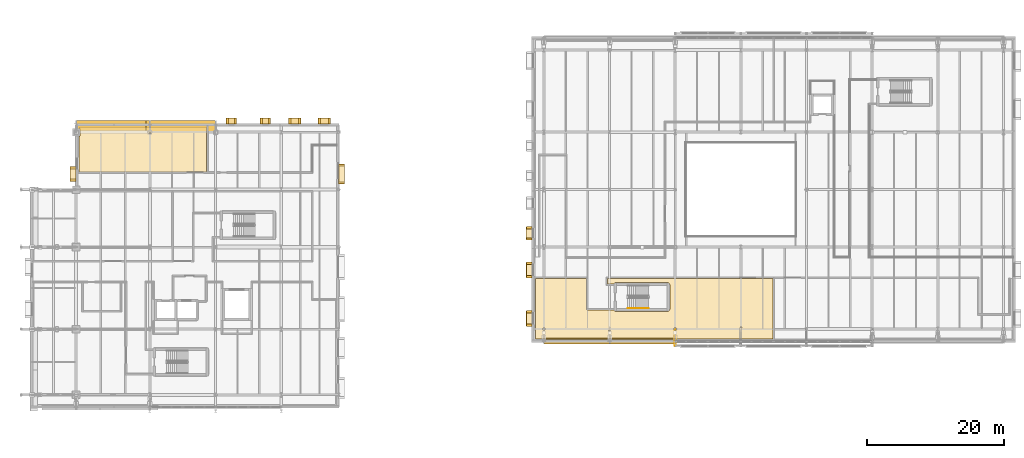
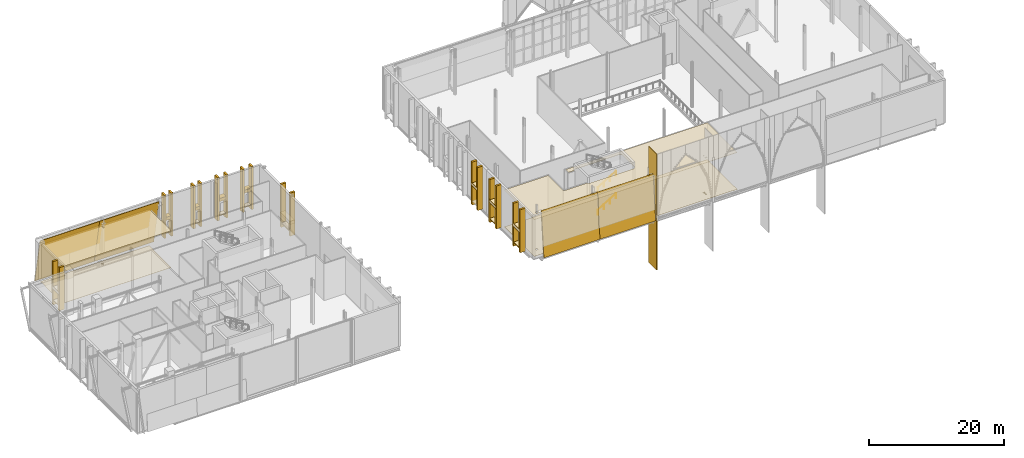
# One storey, part 68 of 79: 44 coverings, 2 railings.
"""IFC4 building model written with IfcOpenShell, lengths in metres."""

from ifc_helpers import new_model, si_unit, direction, frame, origin, origin_2d, place, context, subcontext, project, spatial, polyline, rectangle, circle, outline, extrude, material, layer, layer_set, type_object, element, save


model = new_model("IFC4")

# Units and contexts
model_context = context("Model", 3, precision=1e-05, world=origin(), true_north=direction((0.0, 1.0)))
body_context = subcontext(model_context, "Body", "Model", "MODEL_VIEW")
ifc_project = project(units=[si_unit("LENGTHUNIT", "METRE"), si_unit("AREAUNIT", "SQUARE_METRE"), si_unit("VOLUMEUNIT", "CUBIC_METRE"), si_unit("PLANEANGLEUNIT", "RADIAN"), si_unit("MASSUNIT", "GRAM", prefix="KILO")], contexts=[model_context])

# Site, building, storey
site_placement = place(None, origin())
site = spatial("IfcSite", under=ifc_project, at=site_placement, CompositionType="ELEMENT")
building_placement = place(site_placement, origin())
building = spatial("IfcBuilding", under=site, at=building_placement, Name="Zereglee Splitstone Museum", CompositionType="ELEMENT")
storey_placement = place(building_placement, frame((0.0, 0.0, 9.0)))
storey = spatial("IfcBuildingStorey", under=building, at=storey_placement, Name="L02", CompositionType="ELEMENT", Elevation=9.0)

# Coverings
ifc_material_1 = material(Name="Siberian larch acoustic timber ceiling", Category="wood")
ifc_layer_1 = layer(ifc_material_1, 0.06005859375)
ifc_layer_set_1 = layer_set([ifc_layer_1], Name="Siberian larch acoustic timber ceiling")
covering_type_1 = type_object("IfcCoveringType", Name="CLG-01", PredefinedType="CEILING", material=ifc_layer_set_1)
covering_1_placement = place(storey_placement, frame((0.0, 0.0, 6.639892578125)))
element("IfcCovering", 1, at=covering_1_placement, inside=storey, type_object=covering_type_1, Name="Acoustic Ceiling L02-036", PredefinedType="CEILING", context=body_context, shape_type="SweptSolid", body=[
    extrude(outline(polyline([(10.06005859375, 37.842041015625), (10.157958984375, 37.842041015625), (10.157958984375, 38.9580078125), (10.06005859375, 38.9580078125), (10.06005859375, 39.139892578125), (28.699951171875, 39.139892578125), (28.699951171875, 32.580078125), (10.06005859375, 32.580078125), (10.06005859375, 37.842041015625)]), holes=[polyline([(20.55810546875, 38.587890625), (20.241943359375, 38.587890625), (20.241943359375, 38.549560546875), (20.3857421875, 38.549560546875), (20.3857421875, 38.25048828125), (20.241943359375, 38.25048828125), (20.241943359375, 38.2119140625), (20.55810546875, 38.2119140625), (20.55810546875, 38.25048828125), (20.414306640625, 38.25048828125), (20.414306640625, 38.549560546875), (20.55810546875, 38.549560546875), (20.55810546875, 38.587890625)])]), origin(), (0.0, 0.0, 1.0), 0.06005859375),
])
covering_2_placement = place(storey_placement, frame((0.0, 0.0, 6.639892578125)))
element("IfcCovering", 2, at=covering_2_placement, inside=storey, type_object=covering_type_1, Name="Acoustic Ceiling L02-037", PredefinedType="CEILING", context=body_context, shape_type="SweptSolid", body=[
    extrude(outline(polyline([(87.280029296875, 17.02001953125), (111.5, 17.02001953125), (111.5, 8.139892578125), (76.739990234375, 8.139892578125), (76.739990234375, 17.02001953125), (84.219970703125, 17.02001953125), (84.219970703125, 12.60009765625), (84.219970703125, 12.59912109375), (84.220703125, 12.583251953125), (84.220947265625, 12.581298828125), (84.223388671875, 12.56591796875), (84.2236328125, 12.56396484375), (84.2275390625, 12.548583984375), (84.22802734375, 12.546875), (84.2333984375, 12.531982421875), (84.234130859375, 12.5302734375), (84.24072265625, 12.51611328125), (84.24169921875, 12.514404296875), (84.249755859375, 12.500732421875), (84.2509765625, 12.499267578125), (84.26025390625, 12.486572265625), (84.261474609375, 12.485107421875), (84.27197265625, 12.473388671875), (84.2734375, 12.471923828125), (84.28515625, 12.46142578125), (84.28662109375, 12.460205078125), (84.29931640625, 12.450927734375), (84.30078125, 12.44970703125), (84.314208984375, 12.441650390625), (84.31591796875, 12.44091796875), (84.330078125, 12.43408203125), (84.33203125, 12.433349609375), (84.3466796875, 12.427978515625), (84.3486328125, 12.427490234375), (84.364013671875, 12.423583984375), (84.365966796875, 12.42333984375), (84.38134765625, 12.4208984375), (84.38330078125, 12.4208984375), (84.39892578125, 12.419921875), (84.39990234375, 12.419921875), (88.22119140625, 12.419921875), (88.2294921875, 12.402099609375), (88.250732421875, 12.36669921875), (88.275390625, 12.33349609375), (88.302978515625, 12.302978515625), (88.33349609375, 12.275390625), (88.36669921875, 12.250732421875), (88.402099609375, 12.2294921875), (88.439208984375, 12.2119140625), (88.47802734375, 12.197998046875), (88.51806640625, 12.18798828125), (88.558837890625, 12.181884765625), (88.60009765625, 12.179931640625), (96.0, 12.179931640625), (96.041259765625, 12.181884765625), (96.081787109375, 12.18798828125), (96.121826171875, 12.197998046875), (96.16064453125, 12.2119140625), (96.197998046875, 12.2294921875), (96.2333984375, 12.250732421875), (96.266357421875, 12.275390625), (96.297119140625, 12.302978515625), (96.32470703125, 12.33349609375), (96.34912109375, 12.36669921875), (96.370361328125, 12.402099609375), (96.387939453125, 12.439208984375), (96.40185546875, 12.47802734375), (96.411865234375, 12.51806640625), (96.41796875, 12.558837890625), (96.419921875, 12.60009765625), (96.419921875, 16.0), (96.41796875, 16.041259765625), (96.411865234375, 16.081787109375), (96.40185546875, 16.121826171875), (96.387939453125, 16.16064453125), (96.370361328125, 16.197998046875), (96.34912109375, 16.2333984375), (96.32470703125, 16.266357421875), (96.297119140625, 16.297119140625), (96.266357421875, 16.32470703125), (96.2333984375, 16.34912109375), (96.197998046875, 16.370361328125), (96.16064453125, 16.387939453125), (96.121826171875, 16.40185546875), (96.081787109375, 16.411865234375), (96.041259765625, 16.41796875), (96.0, 16.419921875), (88.60009765625, 16.419921875), (88.558837890625, 16.41796875), (88.51806640625, 16.411865234375), (88.47802734375, 16.40185546875), (88.439208984375, 16.387939453125), (88.402099609375, 16.370361328125), (88.36669921875, 16.34912109375), (88.33349609375, 16.32470703125), (88.302978515625, 16.297119140625), (88.275390625, 16.266357421875), (88.250732421875, 16.2333984375), (88.2294921875, 16.197998046875), (88.22119140625, 16.179931640625), (87.280029296875, 16.179931640625), (87.280029296875, 17.02001953125)]), holes=[polyline([(77.842041015625, 9.758056640625), (77.842041015625, 9.44189453125), (78.157958984375, 9.44189453125), (78.157958984375, 9.758056640625), (77.842041015625, 9.758056640625)]), polyline([(87.758056640625, 9.85791015625), (87.44189453125, 9.85791015625), (87.44189453125, 9.81396484375), (87.584716796875, 9.81396484375), (87.584716796875, 9.385986328125), (87.44189453125, 9.385986328125), (87.44189453125, 9.342041015625), (87.758056640625, 9.342041015625), (87.758056640625, 9.385986328125), (87.615234375, 9.385986328125), (87.615234375, 9.81396484375), (87.758056640625, 9.81396484375), (87.758056640625, 9.85791015625)]), polyline([(97.28076171875, 9.40478515625), (97.3173828125, 9.42431640625), (97.349365234375, 9.45068359375), (97.37548828125, 9.482666015625), (97.39501953125, 9.519287109375), (97.406982421875, 9.558837890625), (97.4111328125, 9.60009765625), (97.406982421875, 9.64111328125), (97.39501953125, 9.680908203125), (97.37548828125, 9.71728515625), (97.349365234375, 9.749267578125), (97.3173828125, 9.775634765625), (97.28076171875, 9.795166015625), (97.2412109375, 9.80712890625), (97.199951171875, 9.811279296875), (97.15869140625, 9.80712890625), (97.119140625, 9.795166015625), (97.082763671875, 9.775634765625), (97.05078125, 9.749267578125), (97.0244140625, 9.71728515625), (97.0048828125, 9.680908203125), (96.992919921875, 9.64111328125), (96.98876953125, 9.60009765625), (96.992919921875, 9.558837890625), (97.0048828125, 9.519287109375), (97.0244140625, 9.482666015625), (97.05078125, 9.45068359375), (97.082763671875, 9.42431640625), (97.119140625, 9.40478515625), (97.15869140625, 9.392822265625), (97.199951171875, 9.388916015625), (97.2412109375, 9.392822265625), (97.28076171875, 9.40478515625)]), polyline([(106.9580078125, 9.907958984375), (106.64208984375, 9.907958984375), (106.64208984375, 9.862060546875), (106.7841796875, 9.862060546875), (106.7841796875, 9.337890625), (106.64208984375, 9.337890625), (106.64208984375, 9.2919921875), (106.9580078125, 9.2919921875), (106.9580078125, 9.337890625), (106.815673828125, 9.337890625), (106.815673828125, 9.862060546875), (106.9580078125, 9.862060546875), (106.9580078125, 9.907958984375)])]), origin(), (0.0, 0.0, 1.0), 0.06005859375),
])
ifc_material_2 = material(Name="Honed Gobi pale limestone stringcourse and soffit cladding", Category="masonry")
ifc_layer_2 = layer(ifc_material_2, 0.070068359375)
ifc_layer_set_2 = layer_set([ifc_layer_2], Name="Honed Gobi pale limestone stringcourse and soffit cladding")
covering_type_2 = type_object("IfcCoveringType", Name="CL-02", PredefinedType="CLADDING", material=ifc_layer_set_2)
for number, where, z_axis, x_axis, name in (
    (3, (48.425048828125, 30.9599609375, 0.0), (0.0, 0.0, 1.0), (0.0, 1.0, 0.0), "Mughal Window Reveal Stone Pilaster L02-0087L"),
    (4, (48.425048828125, 33.60009765625, 0.0), (0.0, 0.0, 1.0), (0.0, 1.0, 0.0), "Mughal Window Reveal Stone Pilaster L02-0087R"),
):
    element("IfcCovering", number, at=place(storey_placement, frame(where, z_axis=z_axis, x_axis=x_axis)), inside=storey, type_object=covering_type_2, Name=name, PredefinedType="CLADDING", context=body_context, shape_type="SweptSolid", body=[
        extrude(rectangle(XDim=0.340087890625, YDim=0.860107421875, at=origin_2d()), origin(), (0.0, 0.0, 1.0), 7.800048828125),
    ])
covering_3_placement = place(storey_placement, frame((48.43505859375, 32.280029296875, 0.760009765625), z_axis=(0.0, 0.0, 1.0), x_axis=(0.0, 1.0, 0.0)))
element("IfcCovering", 5, at=covering_3_placement, inside=storey, type_object=covering_type_2, Name="Carved Limestone Window Sill L02-0087", PredefinedType="CLADDING", context=body_context, shape_type="SweptSolid", body=[
    extrude(rectangle(XDim=2.840087890625, YDim=0.840087890625, at=origin_2d()), origin(), (0.0, 0.0, 1.0), 0.1201171875),
])
for number, where, z_axis, x_axis, name in (
    (6, (46.64501953125, 40.02490234375, 0.0), (0.0, 0.0, 1.0), (-1.0, 0.0, 0.0), "Mughal Window Reveal Stone Pilaster L02-0088L"),
    (7, (45.155029296875, 40.02490234375, 0.0), (0.0, 0.0, 1.0), (-1.0, 0.0, 0.0), "Mughal Window Reveal Stone Pilaster L02-0088R"),
):
    element("IfcCovering", number, at=place(storey_placement, frame(where, z_axis=z_axis, x_axis=x_axis)), inside=storey, type_object=covering_type_2, Name=name, PredefinedType="CLADDING", context=body_context, shape_type="SweptSolid", body=[
        extrude(rectangle(XDim=0.340087890625, YDim=0.860107421875, at=origin_2d()), origin(), (0.0, 0.0, 1.0), 7.800048828125),
    ])
covering_4_placement = place(storey_placement, frame((45.89990234375, 40.034912109375, 0.760009765625), z_axis=(0.0, 0.0, 1.0), x_axis=(-1.0, 0.0, 0.0)))
element("IfcCovering", 8, at=covering_4_placement, inside=storey, type_object=covering_type_2, Name="Carved Limestone Window Sill L02-0088", PredefinedType="CLADDING", context=body_context, shape_type="SweptSolid", body=[
    extrude(rectangle(XDim=1.68994140625, YDim=0.840087890625, at=origin_2d()), origin(), (0.0, 0.0, 1.0), 0.1201171875),
])
for number, where, z_axis, x_axis, name in (
    (9, (42.324951171875, 40.02490234375, 0.0), (0.0, 0.0, 1.0), (-1.0, 0.0, 0.0), "Mughal Window Reveal Stone Pilaster L02-0089L"),
    (10, (40.8349609375, 40.02490234375, 0.0), (0.0, 0.0, 1.0), (-1.0, 0.0, 0.0), "Mughal Window Reveal Stone Pilaster L02-0089R"),
):
    element("IfcCovering", number, at=place(storey_placement, frame(where, z_axis=z_axis, x_axis=x_axis)), inside=storey, type_object=covering_type_2, Name=name, PredefinedType="CLADDING", context=body_context, shape_type="SweptSolid", body=[
        extrude(rectangle(XDim=0.340087890625, YDim=0.860107421875, at=origin_2d()), origin(), (0.0, 0.0, 1.0), 7.800048828125),
    ])
covering_5_placement = place(storey_placement, frame((41.580078125, 40.034912109375, 0.760009765625), z_axis=(0.0, 0.0, 1.0), x_axis=(-1.0, 0.0, 0.0)))
element("IfcCovering", 11, at=covering_5_placement, inside=storey, type_object=covering_type_2, Name="Carved Limestone Window Sill L02-0089", PredefinedType="CLADDING", context=body_context, shape_type="SweptSolid", body=[
    extrude(rectangle(XDim=1.68994140625, YDim=0.840087890625, at=origin_2d()), origin(), (0.0, 0.0, 1.0), 0.1201171875),
])
for number, where, z_axis, x_axis, name in (
    (12, (37.885009765625, 40.02490234375, 0.0), (0.0, 0.0, 1.0), (-1.0, 0.0, 0.0), "Mughal Window Reveal Stone Pilaster L02-0090L"),
    (13, (36.695068359375, 40.02490234375, 0.0), (0.0, 0.0, 1.0), (-1.0, 0.0, 0.0), "Mughal Window Reveal Stone Pilaster L02-0090R"),
):
    element("IfcCovering", number, at=place(storey_placement, frame(where, z_axis=z_axis, x_axis=x_axis)), inside=storey, type_object=covering_type_2, Name=name, PredefinedType="CLADDING", context=body_context, shape_type="SweptSolid", body=[
        extrude(rectangle(XDim=0.340087890625, YDim=0.860107421875, at=origin_2d()), origin(), (0.0, 0.0, 1.0), 7.800048828125),
    ])
covering_6_placement = place(storey_placement, frame((37.2900390625, 40.034912109375, 0.760009765625), z_axis=(0.0, 0.0, 1.0), x_axis=(-1.0, 0.0, 0.0)))
element("IfcCovering", 14, at=covering_6_placement, inside=storey, type_object=covering_type_2, Name="Carved Limestone Window Sill L02-0090", PredefinedType="CLADDING", context=body_context, shape_type="SweptSolid", body=[
    extrude(rectangle(XDim=1.389892578125, YDim=0.840087890625, at=origin_2d()), origin(), (0.0, 0.0, 1.0), 0.1201171875),
])
for number, where, z_axis, x_axis, name in (
    (15, (32.905029296875, 40.02490234375, 0.0), (0.0, 0.0, 1.0), (-1.0, 0.0, 0.0), "Mughal Window Reveal Stone Pilaster L02-0091L"),
    (16, (31.715087890625, 40.02490234375, 0.0), (0.0, 0.0, 1.0), (-1.0, 0.0, 0.0), "Mughal Window Reveal Stone Pilaster L02-0091R"),
):
    element("IfcCovering", number, at=place(storey_placement, frame(where, z_axis=z_axis, x_axis=x_axis)), inside=storey, type_object=covering_type_2, Name=name, PredefinedType="CLADDING", context=body_context, shape_type="SweptSolid", body=[
        extrude(rectangle(XDim=0.340087890625, YDim=0.860107421875, at=origin_2d()), origin(), (0.0, 0.0, 1.0), 7.800048828125),
    ])
covering_7_placement = place(storey_placement, frame((32.31005859375, 40.034912109375, 0.760009765625), z_axis=(0.0, 0.0, 1.0), x_axis=(-1.0, 0.0, 0.0)))
element("IfcCovering", 17, at=covering_7_placement, inside=storey, type_object=covering_type_2, Name="Carved Limestone Window Sill L02-0091", PredefinedType="CLADDING", context=body_context, shape_type="SweptSolid", body=[
    extrude(rectangle(XDim=1.389892578125, YDim=0.840087890625, at=origin_2d()), origin(), (0.0, 0.0, 1.0), 0.1201171875),
])
for number, where, z_axis, x_axis, name in (
    (18, (9.175048828125, 33.199951171875, 0.0), (0.0, 0.0, 1.0), (0.0, -1.0, 0.0), "Mughal Window Reveal Stone Pilaster L02-0092L"),
    (19, (9.175048828125, 31.360107421875, 0.0), (0.0, 0.0, 1.0), (0.0, -1.0, 0.0), "Mughal Window Reveal Stone Pilaster L02-0092R"),
):
    element("IfcCovering", number, at=place(storey_placement, frame(where, z_axis=z_axis, x_axis=x_axis)), inside=storey, type_object=covering_type_2, Name=name, PredefinedType="CLADDING", context=body_context, shape_type="SweptSolid", body=[
        extrude(rectangle(XDim=0.340087890625, YDim=0.860107421875, at=origin_2d()), origin(), (0.0, 0.0, 1.0), 7.800048828125),
    ])
covering_8_placement = place(storey_placement, frame((9.1650390625, 32.280029296875, 0.760009765625), z_axis=(0.0, 0.0, 1.0), x_axis=(0.0, -1.0, 0.0)))
element("IfcCovering", 20, at=covering_8_placement, inside=storey, type_object=covering_type_2, Name="Carved Limestone Window Sill L02-0092", PredefinedType="CLADDING", context=body_context, shape_type="SweptSolid", body=[
    extrude(rectangle(XDim=2.0400390625, YDim=0.840087890625, at=origin_2d()), origin(), (0.0, 0.0, 1.0), 0.1201171875),
])
for number, where, z_axis, x_axis, name in (
    (21, (75.85498046875, 24.429931640625, 0.0), (0.0, 0.0, 1.0), (0.0, -1.0, 0.0), "Mughal Window Reveal Stone Pilaster L02-0098L"),
    (22, (75.85498046875, 22.7900390625, 0.0), (0.0, 0.0, 1.0), (0.0, -1.0, 0.0), "Mughal Window Reveal Stone Pilaster L02-0098R"),
    (23, (75.85498046875, 19.2099609375, 0.0), (0.0, 0.0, 1.0), (0.0, -1.0, 0.0), "Mughal Window Reveal Stone Pilaster L02-0099L"),
    (24, (75.85498046875, 17.27001953125, 0.0), (0.0, 0.0, 1.0), (0.0, -1.0, 0.0), "Mughal Window Reveal Stone Pilaster L02-0099R"),
):
    element("IfcCovering", number, at=place(storey_placement, frame(where, z_axis=z_axis, x_axis=x_axis)), inside=storey, type_object=covering_type_2, Name=name, PredefinedType="CLADDING", context=body_context, shape_type="SweptSolid", body=[
        extrude(rectangle(XDim=0.340087890625, YDim=0.860107421875, at=origin_2d()), origin(), (0.0, 0.0, 1.0), 7.800048828125),
    ])
covering_9_placement = place(storey_placement, frame((75.844970703125, 18.239990234375, 0.659912109375), z_axis=(0.0, 0.0, 1.0), x_axis=(0.0, -1.0, 0.0)))
element("IfcCovering", 25, at=covering_9_placement, inside=storey, type_object=covering_type_2, Name="Carved Limestone Window Sill L02-0099", PredefinedType="CLADDING", context=body_context, shape_type="SweptSolid", body=[
    extrude(rectangle(XDim=2.139892578125, YDim=0.840087890625, at=origin_2d()), origin(), (0.0, 0.0, 1.0), 0.1201171875),
])
for number, where, z_axis, x_axis, name in (
    (26, (75.85498046875, 12.1298828125, 0.0), (0.0, 0.0, 1.0), (0.0, -1.0, 0.0), "Mughal Window Reveal Stone Pilaster L02-0100L"),
    (27, (75.85498046875, 10.18994140625, 0.0), (0.0, 0.0, 1.0), (0.0, -1.0, 0.0), "Mughal Window Reveal Stone Pilaster L02-0100R"),
):
    element("IfcCovering", number, at=place(storey_placement, frame(where, z_axis=z_axis, x_axis=x_axis)), inside=storey, type_object=covering_type_2, Name=name, PredefinedType="CLADDING", context=body_context, shape_type="SweptSolid", body=[
        extrude(rectangle(XDim=0.340087890625, YDim=0.860107421875, at=origin_2d()), origin(), (0.0, 0.0, 1.0), 7.800048828125),
    ])
covering_10_placement = place(storey_placement, frame((75.844970703125, 11.159912109375, 0.659912109375), z_axis=(0.0, 0.0, 1.0), x_axis=(0.0, -1.0, 0.0)))
element("IfcCovering", 28, at=covering_10_placement, inside=storey, type_object=covering_type_2, Name="Carved Limestone Window Sill L02-0100", PredefinedType="CLADDING", context=body_context, shape_type="SweptSolid", body=[
    extrude(rectangle(XDim=2.139892578125, YDim=0.840087890625, at=origin_2d()), origin(), (0.0, 0.0, 1.0), 0.1201171875),
])
covering_11_placement = place(storey_placement, frame((0.0, 0.0, -9.0)))
element("IfcCovering", 29, at=covering_11_placement, inside=storey, type_object=covering_type_2, Name="Mughal Iwan Stone Cheek Return PSQ-ATRS-1", PredefinedType="CLADDING", context=body_context, shape_type="SweptSolid", body=[
    extrude(outline(polyline([(97.1298828125, 7.199951171875), (97.27001953125, 7.199951171875), (97.27001953125, 9.60009765625), (97.1298828125, 9.60009765625), (97.1298828125, 7.199951171875)])), origin(), (0.0, 0.0, 1.0), 20.945068359375),
])
ifc_material_3 = material(Name="Honed Khoroo red sandstone ventilated rainscreen", Category="masonry")
ifc_layer_3 = layer(ifc_material_3, 0.080078125)
ifc_layer_set_3 = layer_set([ifc_layer_3], Name="Honed Khoroo red sandstone ventilated rainscreen")
covering_type_3 = type_object("IfcCoveringType", Name="CL-01", PredefinedType="CLADDING", material=ifc_layer_set_3)
covering_12_placement = place(storey_placement, frame((48.43505859375, 32.280029296875, 2.06005859375), z_axis=(0.0, 0.0, 1.0), x_axis=(0.0, 1.0, 0.0)))
element("IfcCovering", 30, at=covering_12_placement, inside=storey, type_object=covering_type_3, Name="Pointed-Arch Mughal Window Hood L02-0087", PredefinedType="CLADDING", context=body_context, shape_type="SweptSolid", body=[
    extrude(rectangle(XDim=2.840087890625, YDim=0.860107421875, at=origin_2d()), origin(), (0.0, 0.0, 1.0), 0.580078125),
])
for number, where, z_axis, x_axis, name in (
    (31, (45.89990234375, 40.034912109375, 3.35986328125), (0.0, 0.0, 1.0), (-1.0, 0.0, 0.0), "Pointed-Arch Mughal Window Hood L02-0088"),
    (32, (41.580078125, 40.034912109375, 3.35986328125), (0.0, 0.0, 1.0), (-1.0, 0.0, 0.0), "Pointed-Arch Mughal Window Hood L02-0089"),
):
    element("IfcCovering", number, at=place(storey_placement, frame(where, z_axis=z_axis, x_axis=x_axis)), inside=storey, type_object=covering_type_3, Name=name, PredefinedType="CLADDING", context=body_context, shape_type="SweptSolid", body=[
        extrude(rectangle(XDim=1.68994140625, YDim=0.860107421875, at=origin_2d()), origin(), (0.0, 0.0, 1.0), 0.580078125),
    ])
for number, where, z_axis, x_axis, name in (
    (33, (37.2900390625, 40.034912109375, 3.159912109375), (0.0, 0.0, 1.0), (-1.0, 0.0, 0.0), "Pointed-Arch Mughal Window Hood L02-0090"),
    (34, (32.31005859375, 40.034912109375, 3.159912109375), (0.0, 0.0, 1.0), (-1.0, 0.0, 0.0), "Pointed-Arch Mughal Window Hood L02-0091"),
):
    element("IfcCovering", number, at=place(storey_placement, frame(where, z_axis=z_axis, x_axis=x_axis)), inside=storey, type_object=covering_type_3, Name=name, PredefinedType="CLADDING", context=body_context, shape_type="SweptSolid", body=[
        extrude(rectangle(XDim=1.389892578125, YDim=0.860107421875, at=origin_2d()), origin(), (0.0, 0.0, 1.0), 0.580078125),
    ])
covering_13_placement = place(storey_placement, frame((9.1650390625, 32.280029296875, 2.760009765625), z_axis=(0.0, 0.0, 1.0), x_axis=(0.0, -1.0, 0.0)))
element("IfcCovering", 35, at=covering_13_placement, inside=storey, type_object=covering_type_3, Name="Pointed-Arch Mughal Window Hood L02-0092", PredefinedType="CLADDING", context=body_context, shape_type="SweptSolid", body=[
    extrude(rectangle(XDim=2.0400390625, YDim=0.860107421875, at=origin_2d()), origin(), (0.0, 0.0, 1.0), 0.580078125),
])
covering_14_placement = place(storey_placement, frame((75.844970703125, 23.610107421875, 3.4599609375), z_axis=(0.0, 0.0, 1.0), x_axis=(0.0, -1.0, 0.0)))
element("IfcCovering", 36, at=covering_14_placement, inside=storey, type_object=covering_type_3, Name="Pointed-Arch Mughal Window Hood L02-0098", PredefinedType="CLADDING", context=body_context, shape_type="SweptSolid", body=[
    extrude(rectangle(XDim=1.840087890625, YDim=0.860107421875, at=origin_2d()), origin(), (0.0, 0.0, 1.0), 0.580078125),
])
for number, where, z_axis, x_axis, name in (
    (37, (75.844970703125, 18.239990234375, 3.56005859375), (0.0, 0.0, 1.0), (0.0, -1.0, 0.0), "Pointed-Arch Mughal Window Hood L02-0099"),
    (38, (75.844970703125, 11.159912109375, 3.56005859375), (0.0, 0.0, 1.0), (0.0, -1.0, 0.0), "Pointed-Arch Mughal Window Hood L02-0100"),
):
    element("IfcCovering", number, at=place(storey_placement, frame(where, z_axis=z_axis, x_axis=x_axis)), inside=storey, type_object=covering_type_3, Name=name, PredefinedType="CLADDING", context=body_context, shape_type="SweptSolid", body=[
        extrude(rectangle(XDim=2.139892578125, YDim=0.860107421875, at=origin_2d()), origin(), (0.0, 0.0, 1.0), 0.580078125),
    ])
for number, where, z_axis, x_axis, name in (
    (39, (9.60009765625, 38.469970703125, 8.0), (0.0, 0.981635340877, 0.190767024252), (1.0, 0.0, 0.0), "Split-Rock Continuous Inclined Facet FH-V1NL-N L02.1"),
    (40, (19.800048828125, 38.469970703125, 8.0), (0.0, 0.981635340877, 0.190767024252), (1.0, 0.0, 0.0), "Split-Rock Continuous Inclined Facet FH-V1NL-N L02.2"),
):
    element("IfcCovering", number, at=place(storey_placement, frame(where, z_axis=z_axis, x_axis=x_axis)), inside=storey, type_object=covering_type_3, Name=name, PredefinedType="CLADDING", context=body_context, shape_type="SweptSolid", body=[
        extrude(outline(polyline([(0.0, 0.0), (10.199951171875, 0.0), (10.199951171875, 8.404342892374752), (0.0, 8.404342892374752), (0.0, 0.0)])), origin(), (0.0, 0.0, -1.0), 0.080078125),
    ])
covering_15_placement = place(storey_placement, frame((78.0, 7.454345703125, -0.25), z_axis=(0.0, -0.995861160371, 0.090887563856), x_axis=(1.0, 0.0, 0.0)))
element("IfcCovering", 41, at=covering_15_placement, inside=storey, type_object=covering_type_3, Name="Split-Rock Continuous Inclined Facet FH-V2SW L02.1", PredefinedType="CLADDING", context=body_context, shape_type="SweptSolid", body=[
    extrude(outline(polyline([(0.0, 0.0), (9.60009765625, 0.0), (9.60009765625, 8.133761992714629), (0.0, 8.133761992714629), (0.0, 0.0)])), origin(), (0.0, 0.0, -1.0), 0.080078125),
])
covering_16_placement = place(storey_placement, frame((87.60009765625, 7.454345703125, -0.25), z_axis=(0.0, -0.995861160371, 0.090887563856), x_axis=(1.0, 0.0, 0.0)))
element("IfcCovering", 42, at=covering_16_placement, inside=storey, type_object=covering_type_3, Name="Split-Rock Continuous Inclined Facet FH-V2SW L02.2", PredefinedType="CLADDING", context=body_context, shape_type="SweptSolid", body=[
    extrude(outline(polyline([(0.0, 0.0), (9.599853515625, 0.0), (9.599853515625, 8.133761992714629), (0.0, 8.133761992714629), (0.0, 0.0)])), origin(), (0.0, 0.0, -1.0), 0.080078125),
])
ifc_material_4 = material(Name="Honed Gobi granite terrazzo flooring", Category="masonry")
ifc_layer_4 = layer(ifc_material_4, 0.030029296875)
ifc_layer_set_4 = layer_set([ifc_layer_4], Name="Honed Gobi granite terrazzo flooring")
covering_type_4 = type_object("IfcCoveringType", Name="FLR-01", PredefinedType="FLOORING", material=ifc_layer_set_4)
covering_17_placement = place(storey_placement, origin())
element("IfcCovering", 43, at=covering_17_placement, inside=storey, type_object=covering_type_4, Name="Terrazzo Gallery Flooring L02-023", PredefinedType="FLOORING", context=body_context, shape_type="SweptSolid", body=[
    extrude(outline(polyline([(10.06005859375, 37.842041015625), (10.157958984375, 37.842041015625), (10.157958984375, 38.9580078125), (10.06005859375, 38.9580078125), (10.06005859375, 39.139892578125), (28.699951171875, 39.139892578125), (28.699951171875, 32.580078125), (10.06005859375, 32.580078125), (10.06005859375, 37.842041015625)]), holes=[polyline([(20.55810546875, 38.587890625), (20.241943359375, 38.587890625), (20.241943359375, 38.549560546875), (20.3857421875, 38.549560546875), (20.3857421875, 38.25048828125), (20.241943359375, 38.25048828125), (20.241943359375, 38.2119140625), (20.55810546875, 38.2119140625), (20.55810546875, 38.25048828125), (20.414306640625, 38.25048828125), (20.414306640625, 38.549560546875), (20.55810546875, 38.549560546875), (20.55810546875, 38.587890625)])]), origin(), (0.0, 0.0, 1.0), 0.030029296875),
])
covering_18_placement = place(storey_placement, origin())
element("IfcCovering", 44, at=covering_18_placement, inside=storey, type_object=covering_type_4, Name="Terrazzo Gallery Flooring L02-024", PredefinedType="FLOORING", context=body_context, shape_type="SweptSolid", body=[
    extrude(outline(polyline([(87.280029296875, 17.02001953125), (111.5, 17.02001953125), (111.5, 8.139892578125), (76.739990234375, 8.139892578125), (76.739990234375, 17.02001953125), (84.219970703125, 17.02001953125), (84.219970703125, 12.60009765625), (84.219970703125, 12.59912109375), (84.220703125, 12.583251953125), (84.220947265625, 12.581298828125), (84.223388671875, 12.56591796875), (84.2236328125, 12.56396484375), (84.2275390625, 12.548583984375), (84.22802734375, 12.546875), (84.2333984375, 12.531982421875), (84.234130859375, 12.5302734375), (84.24072265625, 12.51611328125), (84.24169921875, 12.514404296875), (84.249755859375, 12.500732421875), (84.2509765625, 12.499267578125), (84.26025390625, 12.486572265625), (84.261474609375, 12.485107421875), (84.27197265625, 12.473388671875), (84.2734375, 12.471923828125), (84.28515625, 12.46142578125), (84.28662109375, 12.460205078125), (84.29931640625, 12.450927734375), (84.30078125, 12.44970703125), (84.314208984375, 12.441650390625), (84.31591796875, 12.44091796875), (84.330078125, 12.43408203125), (84.33203125, 12.433349609375), (84.3466796875, 12.427978515625), (84.3486328125, 12.427490234375), (84.364013671875, 12.423583984375), (84.365966796875, 12.42333984375), (84.38134765625, 12.4208984375), (84.38330078125, 12.4208984375), (84.39892578125, 12.419921875), (84.39990234375, 12.419921875), (88.22119140625, 12.419921875), (88.2294921875, 12.402099609375), (88.250732421875, 12.36669921875), (88.275390625, 12.33349609375), (88.302978515625, 12.302978515625), (88.33349609375, 12.275390625), (88.36669921875, 12.250732421875), (88.402099609375, 12.2294921875), (88.439208984375, 12.2119140625), (88.47802734375, 12.197998046875), (88.51806640625, 12.18798828125), (88.558837890625, 12.181884765625), (88.60009765625, 12.179931640625), (96.0, 12.179931640625), (96.041259765625, 12.181884765625), (96.081787109375, 12.18798828125), (96.121826171875, 12.197998046875), (96.16064453125, 12.2119140625), (96.197998046875, 12.2294921875), (96.2333984375, 12.250732421875), (96.266357421875, 12.275390625), (96.297119140625, 12.302978515625), (96.32470703125, 12.33349609375), (96.34912109375, 12.36669921875), (96.370361328125, 12.402099609375), (96.387939453125, 12.439208984375), (96.40185546875, 12.47802734375), (96.411865234375, 12.51806640625), (96.41796875, 12.558837890625), (96.419921875, 12.60009765625), (96.419921875, 16.0), (96.41796875, 16.041259765625), (96.411865234375, 16.081787109375), (96.40185546875, 16.121826171875), (96.387939453125, 16.16064453125), (96.370361328125, 16.197998046875), (96.34912109375, 16.2333984375), (96.32470703125, 16.266357421875), (96.297119140625, 16.297119140625), (96.266357421875, 16.32470703125), (96.2333984375, 16.34912109375), (96.197998046875, 16.370361328125), (96.16064453125, 16.387939453125), (96.121826171875, 16.40185546875), (96.081787109375, 16.411865234375), (96.041259765625, 16.41796875), (96.0, 16.419921875), (88.60009765625, 16.419921875), (88.558837890625, 16.41796875), (88.51806640625, 16.411865234375), (88.47802734375, 16.40185546875), (88.439208984375, 16.387939453125), (88.402099609375, 16.370361328125), (88.36669921875, 16.34912109375), (88.33349609375, 16.32470703125), (88.302978515625, 16.297119140625), (88.275390625, 16.266357421875), (88.250732421875, 16.2333984375), (88.2294921875, 16.197998046875), (88.22119140625, 16.179931640625), (87.280029296875, 16.179931640625), (87.280029296875, 17.02001953125)]), holes=[polyline([(77.842041015625, 9.758056640625), (77.842041015625, 9.44189453125), (78.157958984375, 9.44189453125), (78.157958984375, 9.758056640625), (77.842041015625, 9.758056640625)]), polyline([(87.758056640625, 9.85791015625), (87.44189453125, 9.85791015625), (87.44189453125, 9.81396484375), (87.584716796875, 9.81396484375), (87.584716796875, 9.385986328125), (87.44189453125, 9.385986328125), (87.44189453125, 9.342041015625), (87.758056640625, 9.342041015625), (87.758056640625, 9.385986328125), (87.615234375, 9.385986328125), (87.615234375, 9.81396484375), (87.758056640625, 9.81396484375), (87.758056640625, 9.85791015625)]), polyline([(97.28076171875, 9.40478515625), (97.3173828125, 9.42431640625), (97.349365234375, 9.45068359375), (97.37548828125, 9.482666015625), (97.39501953125, 9.519287109375), (97.406982421875, 9.558837890625), (97.4111328125, 9.60009765625), (97.406982421875, 9.64111328125), (97.39501953125, 9.680908203125), (97.37548828125, 9.71728515625), (97.349365234375, 9.749267578125), (97.3173828125, 9.775634765625), (97.28076171875, 9.795166015625), (97.2412109375, 9.80712890625), (97.199951171875, 9.811279296875), (97.15869140625, 9.80712890625), (97.119140625, 9.795166015625), (97.082763671875, 9.775634765625), (97.05078125, 9.749267578125), (97.0244140625, 9.71728515625), (97.0048828125, 9.680908203125), (96.992919921875, 9.64111328125), (96.98876953125, 9.60009765625), (96.992919921875, 9.558837890625), (97.0048828125, 9.519287109375), (97.0244140625, 9.482666015625), (97.05078125, 9.45068359375), (97.082763671875, 9.42431640625), (97.119140625, 9.40478515625), (97.15869140625, 9.392822265625), (97.199951171875, 9.388916015625), (97.2412109375, 9.392822265625), (97.28076171875, 9.40478515625)]), polyline([(106.9580078125, 9.907958984375), (106.64208984375, 9.907958984375), (106.64208984375, 9.862060546875), (106.7841796875, 9.862060546875), (106.7841796875, 9.337890625), (106.64208984375, 9.337890625), (106.64208984375, 9.2919921875), (106.9580078125, 9.2919921875), (106.9580078125, 9.337890625), (106.815673828125, 9.337890625), (106.815673828125, 9.862060546875), (106.9580078125, 9.862060546875), (106.9580078125, 9.907958984375)])]), origin(), (0.0, 0.0, 1.0), 0.030029296875),
])

# Railings
ifc_material_5 = material(Name="Architectural bronze tubular handrail", Category="steel")
railing_type = type_object("IfcRailingType", Name="HR-01", PredefinedType="HANDRAIL", material=ifc_material_5)
for number, where, name in (
    (45, (90.25, 12.64990234375, 0.168701171875), "L02 ST-06 stair handrail 1"),
    (46, (90.25, 12.64990234375, 4.21875), "L02 ST-06 stair handrail 3"),
):
    element("IfcRailing", number, at=place(storey_placement, frame(where)), inside=storey, type_object=railing_type, Name=name, PredefinedType="HANDRAIL", context=body_context, shape_type="SweptSolid", body=[
        extrude(circle(Radius=0.02392578125, at=origin_2d()), frame((0.0, 0.0, 0.8759765625), z_axis=(0.856490936558, 0.0, 0.516162063304), x_axis=(0.0, 1.0, 0.0)), (0.0, 0.0, 1.0), 3.59619140625),
        extrude(circle(Radius=0.02099609375, at=origin_2d()), origin(), (0.0, 0.0, 1.0), 0.851806640625),
        extrude(circle(Radius=0.02099609375, at=origin_2d()), frame((1.026611328125, 0.0, 0.61865234375)), (0.0, 0.0, 1.0), 0.851806640625),
        extrude(circle(Radius=0.02099609375, at=origin_2d()), frame((2.053466796875, 0.0, 1.237548828125)), (0.0, 0.0, 1.0), 0.851806640625),
        extrude(circle(Radius=0.02099609375, at=origin_2d()), frame((3.080078125, 0.0, 1.856201171875)), (0.0, 0.0, 1.0), 0.851806640625),
    ])

save(model, "model.ifc")
